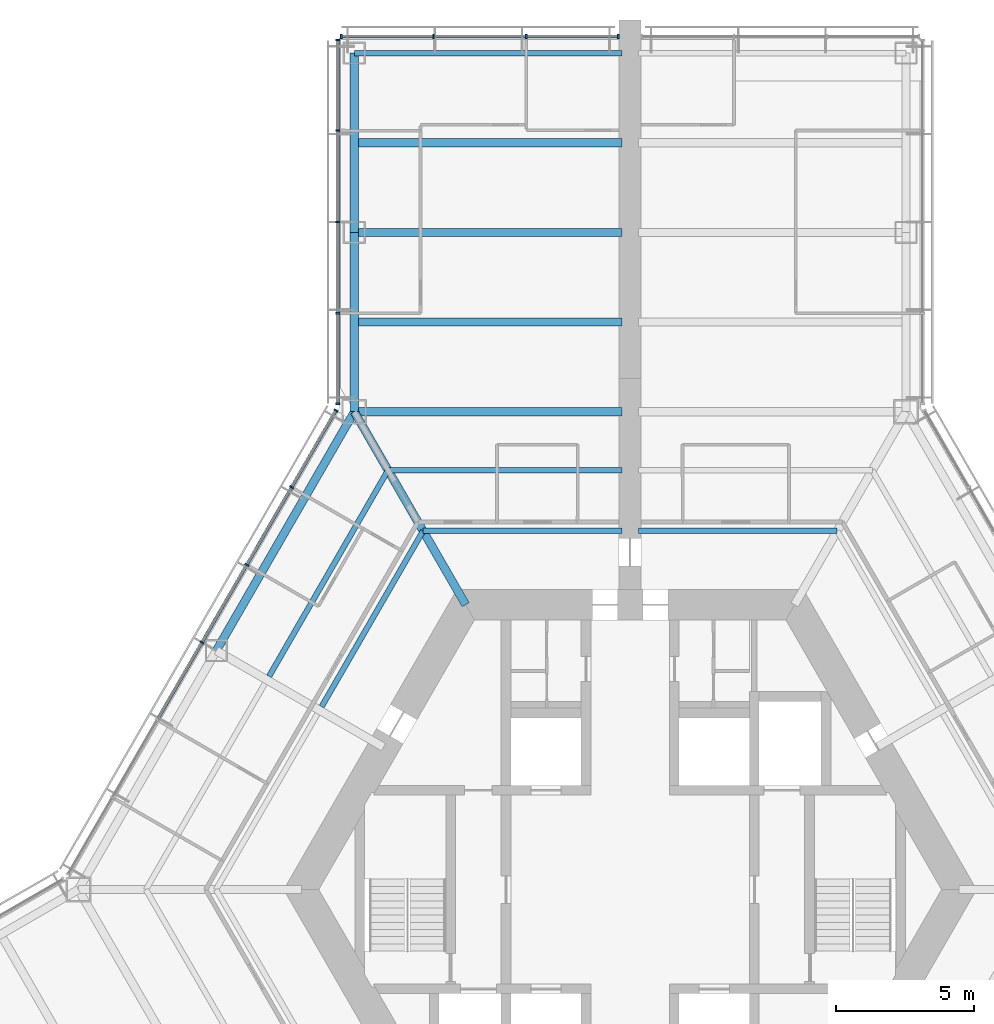
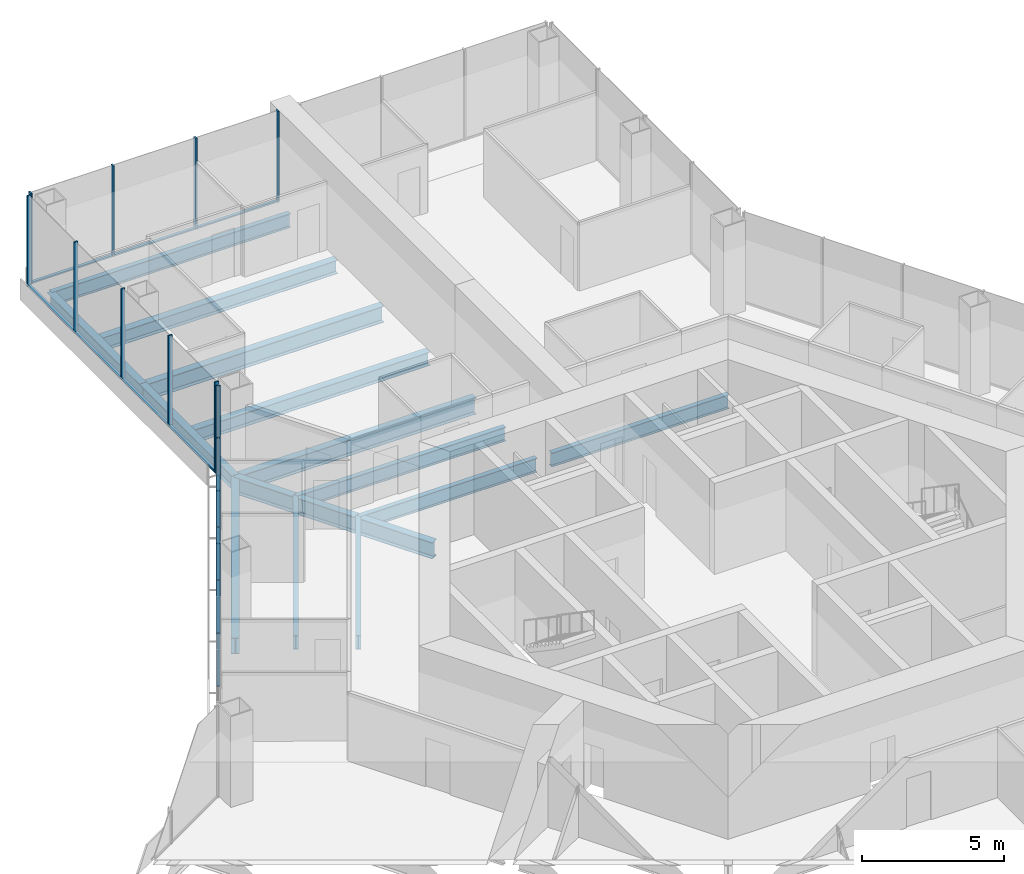
# One storey, part 7 of 19: 24 members, 14 beams, 3 elements without a shape of their own.
"""IFC4 building model written with IfcOpenShell, lengths in metres."""

from ifc_helpers import new_model, si_unit, direction, frame, origin, origin_2d, place, context, subcontext, project, spatial, rectangle, i_section, extrude, material, material_profile, profile_set, type_object, element, aggregate, save


model = new_model("IFC4")

# Units and contexts
model_context = context("Model", 3, precision=1e-05, world=origin(), true_north=direction((0.0, 1.0)))
body_context = subcontext(model_context, "Body", "Model", "MODEL_VIEW")
ifc_project = project(units=[si_unit("LENGTHUNIT", "METRE"), si_unit("AREAUNIT", "SQUARE_METRE"), si_unit("VOLUMEUNIT", "CUBIC_METRE"), si_unit("PLANEANGLEUNIT", "RADIAN"), si_unit("MASSUNIT", "GRAM", prefix="KILO")], contexts=[model_context])

# Site, building, storey
site_placement = place(None, origin())
site = spatial("IfcSite", under=ifc_project, at=site_placement, CompositionType="ELEMENT")
building_placement = place(site_placement, origin())
building = spatial("IfcBuilding", under=site, at=building_placement, Name="Kasaneha Research Tower", CompositionType="ELEMENT")
storey_placement = place(building_placement, frame((0.0, 0.0, 88.5)))
storey = spatial("IfcBuildingStorey", under=building, at=storey_placement, Name="L22", CompositionType="ELEMENT", Elevation=88.5)

# Beams
ifc_material_1 = material(Name="Steel SN490B", Category="steel")
ifc_material_profile_1 = material_profile(ifc_material_1, i_section(OverallWidth=0.199951171875, OverallDepth=0.60009765625, WebThickness=0.010986328125, FlangeThickness=0.01708984375, FilletRadius=0.012939453125, at=origin_2d()), Name="H-600x200x11x17")
ifc_profile_set_1 = profile_set([ifc_material_profile_1], Name="Steel SN490B")
beam_type_1 = type_object("IfcBeamType", Name="B1-3 secondary beam H-600x200x11x17", PredefinedType="JOIST", material=ifc_profile_set_1)
for number, where, z_axis, x_axis, name in (
    (1, (7.505615234375, 13.0, -0.449951171875), (-1.0, 0.0, 0.0), (0.0, -1.0, 0.0), "Secondary beam RS090L1 L22"),
    (2, (-7.505615234375, 13.0, -0.449951171875), (1.0, 0.0, 0.0), (0.0, 1.0, 0.0), "Secondary beam RS090R1 L22"),
):
    element("IfcBeam", number, at=place(storey_placement, frame(where, z_axis=z_axis, x_axis=x_axis)), inside=storey, type_object=beam_type_1, Name=name, PredefinedType="JOIST", context=body_context, shape_type="SweptSolid", body=[
        extrude(i_section(OverallWidth=0.199951171875, OverallDepth=0.60009765625, WebThickness=0.010986328125, FlangeThickness=0.01708984375, FilletRadius=0.012939453125, at=origin_2d()), origin(), (0.0, 0.0, 1.0), 7.20556640625),
    ])
beam_1_placement = place(storey_placement, frame((-8.775634765625, 15.199951171875, -0.449951171875), z_axis=(1.0, 0.0, 0.0), x_axis=(0.0, 1.0, 0.0)))
element("IfcBeam", 3, at=beam_1_placement, inside=storey, type_object=beam_type_1, Name="Secondary beam RS090R2 L22", PredefinedType="JOIST", context=body_context, shape_type="SweptSolid", body=[
    extrude(i_section(OverallWidth=0.199951171875, OverallDepth=0.60009765625, WebThickness=0.010986328125, FlangeThickness=0.01708984375, FilletRadius=0.012939453125, at=origin_2d()), origin(), (0.0, 0.0, 1.0), 8.4755859375),
])
beam_2_placement = place(storey_placement, frame((-7.505615234375, 13.0, -0.449951171875), z_axis=(-0.499994443168, -0.866028611999, 0.0), x_axis=(0.866028611999, -0.499994443168, 0.0)))
element("IfcBeam", 4, at=beam_2_placement, inside=storey, type_object=beam_type_1, Name="Secondary beam RS150L1 L22", PredefinedType="JOIST", context=body_context, shape_type="SweptSolid", body=[
    extrude(i_section(OverallWidth=0.199951171875, OverallDepth=0.60009765625, WebThickness=0.010986328125, FlangeThickness=0.01708984375, FilletRadius=0.012939453125, at=origin_2d()), origin(), (0.0, 0.0, 1.0), 7.35546875),
])
beam_3_placement = place(storey_placement, frame((-8.775634765625, 15.199951171875, -0.449951171875), z_axis=(-0.500017275495, -0.866015429543, 0.0), x_axis=(0.866015429543, -0.500017275495, 0.0)))
element("IfcBeam", 5, at=beam_3_placement, inside=storey, type_object=beam_type_1, Name="Secondary beam RS150L2 L22", PredefinedType="JOIST", context=body_context, shape_type="SweptSolid", body=[
    extrude(i_section(OverallWidth=0.199951171875, OverallDepth=0.60009765625, WebThickness=0.010986328125, FlangeThickness=0.01708984375, FilletRadius=0.012939453125, at=origin_2d()), origin(), (0.0, 0.0, 1.0), 8.625732421875),
])
ifc_material_2 = material(Name="Steel SN490B", Category="steel")
ifc_material_profile_2 = material_profile(ifc_material_2, i_section(OverallWidth=0.300048828125, OverallDepth=0.58203125, WebThickness=0.011962890625, FlangeThickness=0.01708984375, FilletRadius=0.012939453125, at=origin_2d()), Name="H-582x300x12x17")
ifc_profile_set_2 = profile_set([ifc_material_profile_2], Name="Steel SN490B")
beam_type_2 = type_object("IfcBeamType", Name="B2-3 secondary beam H-582x300x12x17", PredefinedType="JOIST", material=ifc_profile_set_2)
for number, where, z_axis, x_axis, name in (
    (6, (-10.0, 20.570556640625, -0.44091796875), (1.0, 0.0, 0.0), (0.0, 1.0, 0.0), "Secondary beam WBAN1 L22"),
    (7, (-10.0, 27.070556640625, -0.44091796875), (1.0, 0.0, 0.0), (0.0, 1.0, 0.0), "Secondary beam WBAN2 L22"),
):
    element("IfcBeam", number, at=place(storey_placement, frame(where, z_axis=z_axis, x_axis=x_axis)), inside=storey, type_object=beam_type_2, Name=name, PredefinedType="JOIST", context=body_context, shape_type="SweptSolid", body=[
        extrude(i_section(OverallWidth=0.300048828125, OverallDepth=0.58203125, WebThickness=0.011962890625, FlangeThickness=0.01708984375, FilletRadius=0.012939453125, at=origin_2d()), origin(), (0.0, 0.0, 1.0), 9.699951171875),
    ])

# Curtain wall, members
ifc_material_3 = material(Name="Glass and aluminium", Category="aluminium")
curtain_wall_type = type_object("IfcCurtainWallType", Name="Low-rise office curtain wall", PredefinedType="USERDEFINED", material=ifc_material_3)
curtain_wall_1_placement = place(storey_placement, origin())
curtain_wall_1 = element("IfcCurtainWall", 8, at=curtain_wall_1_placement, inside=storey, type_object=curtain_wall_type, Name="CW-O1 L22 run 10a", ObjectType="UNITISED CURTAIN WALL", PredefinedType="USERDEFINED")
ifc_material_4 = material(Name="Aluminium 6063-T6", Category="aluminium")
ifc_material_profile_3 = material_profile(ifc_material_4, rectangle(XDim=0.06005859375, YDim=0.159912109375, at=origin_2d()), Name="CW-O1 mullion 60x160")
ifc_profile_set_3 = profile_set([ifc_material_profile_3], Name="Aluminium 6063-T6")
member_type_1 = type_object("IfcMemberType", Name="CW-O1 mullion", PredefinedType="MULLION", material=ifc_profile_set_3)
member_1_placement = place(storey_placement, frame((-0.429931640625, 30.92041015625, 0.0), z_axis=(0.0, 0.0, 1.0), x_axis=(-1.0, 0.0, 0.0)))
member_1 = element("IfcMember", 9, at=member_1_placement, type_object=member_type_1, Name="CW-O1 mullion 1", PredefinedType="MULLION", context=body_context, shape_type="SweptSolid", body=[
    extrude(rectangle(XDim=0.06005859375, YDim=0.159912109375, at=origin_2d()), origin(), (0.0, 0.0, 1.0), 3.89990234375),
])
member_2_placement = place(storey_placement, frame((-3.7666015625, 30.92041015625, 0.0), z_axis=(0.0, 0.0, 1.0), x_axis=(-1.0, 0.0, 0.0)))
member_2 = element("IfcMember", 10, at=member_2_placement, type_object=member_type_1, Name="CW-O1 mullion 2", PredefinedType="MULLION", context=body_context, shape_type="SweptSolid", body=[
    extrude(rectangle(XDim=0.06005859375, YDim=0.159912109375, at=origin_2d()), origin(), (0.0, 0.0, 1.0), 3.89990234375),
])
member_3_placement = place(storey_placement, frame((-7.13330078125, 30.92041015625, 0.0), z_axis=(0.0, 0.0, 1.0), x_axis=(-1.0, 0.0, 0.0)))
member_3 = element("IfcMember", 11, at=member_3_placement, type_object=member_type_1, Name="CW-O1 mullion 3", PredefinedType="MULLION", context=body_context, shape_type="SweptSolid", body=[
    extrude(rectangle(XDim=0.06005859375, YDim=0.159912109375, at=origin_2d()), origin(), (0.0, 0.0, 1.0), 3.89990234375),
])
member_4_placement = place(storey_placement, frame((-10.469970703125, 30.92041015625, 0.0), z_axis=(0.0, 0.0, 1.0), x_axis=(-1.0, 0.0, 0.0)))
member_4 = element("IfcMember", 12, at=member_4_placement, type_object=member_type_1, Name="CW-O1 mullion 4", PredefinedType="MULLION", context=body_context, shape_type="SweptSolid", body=[
    extrude(rectangle(XDim=0.06005859375, YDim=0.159912109375, at=origin_2d()), origin(), (0.0, 0.0, 1.0), 3.89990234375),
])

curtain_wall_2_placement = place(storey_placement, origin())
curtain_wall_2 = element("IfcCurtainWall", 13, at=curtain_wall_2_placement, inside=storey, type_object=curtain_wall_type, Name="CW-O1 L22 run 11a", ObjectType="UNITISED CURTAIN WALL", PredefinedType="USERDEFINED")
member_5_placement = place(storey_placement, frame((-10.60009765625, 30.79052734375, 0.0), z_axis=(0.0, 0.0, 1.0), x_axis=(0.0, -1.0, 0.0)))
member_5 = element("IfcMember", 14, at=member_5_placement, type_object=member_type_1, Name="CW-O1 mullion 1", PredefinedType="MULLION", context=body_context, shape_type="SweptSolid", body=[
    extrude(rectangle(XDim=0.06005859375, YDim=0.159912109375, at=origin_2d()), origin(), (0.0, 0.0, 1.0), 3.89990234375),
])
member_6_placement = place(storey_placement, frame((-10.60009765625, 27.5107421875, 0.0), z_axis=(0.0, 0.0, 1.0), x_axis=(0.0, -1.0, 0.0)))
member_6 = element("IfcMember", 15, at=member_6_placement, type_object=member_type_1, Name="CW-O1 mullion 2", PredefinedType="MULLION", context=body_context, shape_type="SweptSolid", body=[
    extrude(rectangle(XDim=0.06005859375, YDim=0.159912109375, at=origin_2d()), origin(), (0.0, 0.0, 1.0), 3.89990234375),
])
member_7_placement = place(storey_placement, frame((-10.60009765625, 24.200927734375, 0.0), z_axis=(0.0, 0.0, 1.0), x_axis=(0.0, -1.0, 0.0)))
member_7 = element("IfcMember", 16, at=member_7_placement, type_object=member_type_1, Name="CW-O1 mullion 3", PredefinedType="MULLION", context=body_context, shape_type="SweptSolid", body=[
    extrude(rectangle(XDim=0.06005859375, YDim=0.159912109375, at=origin_2d()), origin(), (0.0, 0.0, 1.0), 3.89990234375),
])
member_8_placement = place(storey_placement, frame((-10.60009765625, 20.89111328125, 0.0), z_axis=(0.0, 0.0, 1.0), x_axis=(0.0, -1.0, 0.0)))
member_8 = element("IfcMember", 17, at=member_8_placement, type_object=member_type_1, Name="CW-O1 mullion 4", PredefinedType="MULLION", context=body_context, shape_type="SweptSolid", body=[
    extrude(rectangle(XDim=0.06005859375, YDim=0.159912109375, at=origin_2d()), origin(), (0.0, 0.0, 1.0), 3.89990234375),
])
member_9_placement = place(storey_placement, frame((-10.60009765625, 17.611328125, 0.0), z_axis=(0.0, 0.0, 1.0), x_axis=(0.0, -1.0, 0.0)))
member_9 = element("IfcMember", 18, at=member_9_placement, type_object=member_type_1, Name="CW-O1 mullion 5", PredefinedType="MULLION", context=body_context, shape_type="SweptSolid", body=[
    extrude(rectangle(XDim=0.06005859375, YDim=0.159912109375, at=origin_2d()), origin(), (0.0, 0.0, 1.0), 3.89990234375),
])

curtain_wall_3_placement = place(storey_placement, origin())
curtain_wall_3 = element("IfcCurtainWall", 19, at=curtain_wall_3_placement, inside=storey, type_object=curtain_wall_type, Name="CW-O1 L22 run 12a", ObjectType="UNITISED CURTAIN WALL", PredefinedType="USERDEFINED")
member_10_placement = place(storey_placement, frame((-10.6650390625, 17.36865234375, 0.0), z_axis=(0.0, 0.0, 1.0), x_axis=(-0.49999996188, -0.866025425793, 0.0)))
member_10 = element("IfcMember", 20, at=member_10_placement, type_object=member_type_1, Name="CW-O1 mullion 1", PredefinedType="MULLION", context=body_context, shape_type="SweptSolid", body=[
    extrude(rectangle(XDim=0.06005859375, YDim=0.159912109375, at=origin_2d()), origin(), (0.0, 0.0, 1.0), 3.89990234375),
])
member_11_placement = place(storey_placement, frame((-12.273193359375, 14.583251953125, 0.0), z_axis=(0.0, 0.0, 1.0), x_axis=(-0.49999996188, -0.866025425793, 0.0)))
member_11 = element("IfcMember", 21, at=member_11_placement, type_object=member_type_1, Name="CW-O1 mullion 2", PredefinedType="MULLION", context=body_context, shape_type="SweptSolid", body=[
    extrude(rectangle(XDim=0.06005859375, YDim=0.159912109375, at=origin_2d()), origin(), (0.0, 0.0, 1.0), 3.89990234375),
])
member_12_placement = place(storey_placement, frame((-13.896484375, 11.771728515625, 0.0), z_axis=(0.0, 0.0, 1.0), x_axis=(-0.49999996188, -0.866025425793, 0.0)))
member_12 = element("IfcMember", 22, at=member_12_placement, type_object=member_type_1, Name="CW-O1 mullion 3", PredefinedType="MULLION", context=body_context, shape_type="SweptSolid", body=[
    extrude(rectangle(XDim=0.06005859375, YDim=0.159912109375, at=origin_2d()), origin(), (0.0, 0.0, 1.0), 3.89990234375),
])
member_13_placement = place(storey_placement, frame((-15.51953125, 8.960205078125, 0.0), z_axis=(0.0, 0.0, 1.0), x_axis=(-0.49999996188, -0.866025425793, 0.0)))
member_13 = element("IfcMember", 23, at=member_13_placement, type_object=member_type_1, Name="CW-O1 mullion 4", PredefinedType="MULLION", context=body_context, shape_type="SweptSolid", body=[
    extrude(rectangle(XDim=0.06005859375, YDim=0.159912109375, at=origin_2d()), origin(), (0.0, 0.0, 1.0), 3.89990234375),
])

# Member
ifc_material_5 = material(Name="Aluminium 6063-T6", Category="aluminium")
ifc_material_profile_4 = material_profile(ifc_material_5, rectangle(XDim=0.1201171875, YDim=0.06005859375, at=origin_2d()), Name="CW-O1 transom 120x60")
ifc_profile_set_4 = profile_set([ifc_material_profile_4], Name="Aluminium 6063-T6")
member_type_2 = type_object("IfcMemberType", Name="CW-O1 transom", PredefinedType="USERDEFINED", material=ifc_profile_set_4)
member_14_placement = place(storey_placement, frame((-0.4599609375, 30.92041015625, 0.030029296875), z_axis=(-1.0, 0.0, 0.0), x_axis=(0.0, -1.0, 0.0)))
member_14 = element("IfcMember", 24, at=member_14_placement, type_object=member_type_2, Name="CW-O1 transom 1", ObjectType="TRANSOM", PredefinedType="USERDEFINED", context=body_context, shape_type="SweptSolid", body=[
    extrude(rectangle(XDim=0.1201171875, YDim=0.06005859375, at=origin_2d()), origin(), (0.0, 0.0, 1.0), 3.276611328125),
])

member_15_placement = place(storey_placement, frame((-3.796630859375, 30.92041015625, 0.030029296875), z_axis=(-1.0, 0.0, 0.0), x_axis=(0.0, -1.0, 0.0)))
member_15 = element("IfcMember", 25, at=member_15_placement, type_object=member_type_2, Name="CW-O1 transom 2", ObjectType="TRANSOM", PredefinedType="USERDEFINED", context=body_context, shape_type="SweptSolid", body=[
    extrude(rectangle(XDim=0.1201171875, YDim=0.06005859375, at=origin_2d()), origin(), (0.0, 0.0, 1.0), 3.306640625),
])

member_16_placement = place(storey_placement, frame((-7.163330078125, 30.92041015625, 0.030029296875), z_axis=(-1.0, 0.0, 0.0), x_axis=(0.0, -1.0, 0.0)))
member_16 = element("IfcMember", 26, at=member_16_placement, type_object=member_type_2, Name="CW-O1 transom 3", ObjectType="TRANSOM", PredefinedType="USERDEFINED", context=body_context, shape_type="SweptSolid", body=[
    extrude(rectangle(XDim=0.1201171875, YDim=0.06005859375, at=origin_2d()), origin(), (0.0, 0.0, 1.0), 3.276611328125),
])

aggregate(curtain_wall_1, [member_1, member_2, member_3, member_4, member_14, member_15, member_16])

member_17_placement = place(storey_placement, frame((-10.60009765625, 30.760498046875, 0.030029296875), z_axis=(0.0, -1.0, 0.0), x_axis=(1.0, 0.0, 0.0)))
member_17 = element("IfcMember", 27, at=member_17_placement, type_object=member_type_2, Name="CW-O1 transom 1", ObjectType="TRANSOM", PredefinedType="USERDEFINED", context=body_context, shape_type="SweptSolid", body=[
    extrude(rectangle(XDim=0.1201171875, YDim=0.06005859375, at=origin_2d()), origin(), (0.0, 0.0, 1.0), 3.2197265625),
])

member_18_placement = place(storey_placement, frame((-10.60009765625, 27.480712890625, 0.030029296875), z_axis=(0.0, -1.0, 0.0), x_axis=(1.0, 0.0, 0.0)))
member_18 = element("IfcMember", 28, at=member_18_placement, type_object=member_type_2, Name="CW-O1 transom 2", ObjectType="TRANSOM", PredefinedType="USERDEFINED", context=body_context, shape_type="SweptSolid", body=[
    extrude(rectangle(XDim=0.1201171875, YDim=0.06005859375, at=origin_2d()), origin(), (0.0, 0.0, 1.0), 3.249755859375),
])

member_19_placement = place(storey_placement, frame((-10.60009765625, 24.1708984375, 0.030029296875), z_axis=(0.0, -1.0, 0.0), x_axis=(1.0, 0.0, 0.0)))
member_19 = element("IfcMember", 29, at=member_19_placement, type_object=member_type_2, Name="CW-O1 transom 3", ObjectType="TRANSOM", PredefinedType="USERDEFINED", context=body_context, shape_type="SweptSolid", body=[
    extrude(rectangle(XDim=0.1201171875, YDim=0.06005859375, at=origin_2d()), origin(), (0.0, 0.0, 1.0), 3.249755859375),
])

member_20_placement = place(storey_placement, frame((-10.60009765625, 20.861083984375, 0.030029296875), z_axis=(0.0, -1.0, 0.0), x_axis=(1.0, 0.0, 0.0)))
member_20 = element("IfcMember", 30, at=member_20_placement, type_object=member_type_2, Name="CW-O1 transom 4", ObjectType="TRANSOM", PredefinedType="USERDEFINED", context=body_context, shape_type="SweptSolid", body=[
    extrude(rectangle(XDim=0.1201171875, YDim=0.06005859375, at=origin_2d()), origin(), (0.0, 0.0, 1.0), 3.2197265625),
])

aggregate(curtain_wall_2, [member_5, member_6, member_7, member_8, member_9, member_17, member_18, member_19, member_20])

member_21_placement = place(storey_placement, frame((-10.679931640625, 17.3427734375, 0.030029296875), z_axis=(-0.500023726918, -0.866011704609, 0.0), x_axis=(0.866011704609, -0.500023726918, 0.0)))
member_21 = element("IfcMember", 31, at=member_21_placement, type_object=member_type_2, Name="CW-O1 transom 1", ObjectType="TRANSOM", PredefinedType="USERDEFINED", context=body_context, shape_type="SweptSolid", body=[
    extrude(rectangle(XDim=0.1201171875, YDim=0.06005859375, at=origin_2d()), origin(), (0.0, 0.0, 1.0), 3.156494140625),
])

member_22_placement = place(storey_placement, frame((-12.2880859375, 14.55712890625, 0.030029296875), z_axis=(-0.500012062035, -0.866018439653, 0.0), x_axis=(0.866018439653, -0.500012062035, 0.0)))
member_22 = element("IfcMember", 32, at=member_22_placement, type_object=member_type_2, Name="CW-O1 transom 2", ObjectType="TRANSOM", PredefinedType="USERDEFINED", context=body_context, shape_type="SweptSolid", body=[
    extrude(rectangle(XDim=0.1201171875, YDim=0.06005859375, at=origin_2d()), origin(), (0.0, 0.0, 1.0), 3.1865234375),
])

member_23_placement = place(storey_placement, frame((-13.911376953125, 11.745849609375, 0.030029296875), z_axis=(-0.500012062035, -0.866018439653, 0.0), x_axis=(0.866018439653, -0.500012062035, 0.0)))
member_23 = element("IfcMember", 33, at=member_23_placement, type_object=member_type_2, Name="CW-O1 transom 3", ObjectType="TRANSOM", PredefinedType="USERDEFINED", context=body_context, shape_type="SweptSolid", body=[
    extrude(rectangle(XDim=0.1201171875, YDim=0.06005859375, at=origin_2d()), origin(), (0.0, 0.0, 1.0), 3.1865234375),
])

member_24_placement = place(storey_placement, frame((-15.53466796875, 8.934326171875, 0.030029296875), z_axis=(-0.500012062035, -0.866018439653, 0.0), x_axis=(0.866018439653, -0.500012062035, 0.0)))
member_24 = element("IfcMember", 34, at=member_24_placement, type_object=member_type_2, Name="CW-O1 transom 4", ObjectType="TRANSOM", PredefinedType="USERDEFINED", context=body_context, shape_type="SweptSolid", body=[
    extrude(rectangle(XDim=0.1201171875, YDim=0.06005859375, at=origin_2d()), origin(), (0.0, 0.0, 1.0), 3.1865234375),
])

aggregate(curtain_wall_3, [member_10, member_11, member_12, member_13, member_21, member_22, member_23, member_24])

# Beams
ifc_material_6 = material(Name="Steel SN490B", Category="steel")
ifc_material_profile_5 = material_profile(ifc_material_6, i_section(OverallWidth=0.300048828125, OverallDepth=0.699951171875, WebThickness=0.012939453125, FlangeThickness=0.02392578125, FilletRadius=0.01806640625, at=origin_2d()), Name="H-700x300x13x24")
ifc_profile_set_5 = profile_set([ifc_material_profile_5], Name="Steel SN490B")
beam_type_3 = type_object("IfcBeamType", Name="G1-3 radial girder H-700x300x13x24", PredefinedType="BEAM", material=ifc_profile_set_5)
beam_4_placement = place(storey_placement, frame((-5.961181640625, 10.324951171875, -0.5), z_axis=(-0.49999105496, 0.866030568144, 0.0), x_axis=(-0.866030568144, -0.49999105496, 0.0)))
element("IfcBeam", 35, at=beam_4_placement, inside=storey, type_object=beam_type_3, Name="Radial girder RV120 L22", PredefinedType="BEAM", context=body_context, shape_type="SweptSolid", body=[
    extrude(i_section(OverallWidth=0.300048828125, OverallDepth=0.699951171875, WebThickness=0.012939453125, FlangeThickness=0.02392578125, FilletRadius=0.01806640625, at=origin_2d()), origin(), (0.0, 0.0, 1.0), 8.077880859375),
])
ifc_material_7 = material(Name="Steel SN490B", Category="steel")
ifc_material_profile_6 = material_profile(ifc_material_7, i_section(OverallWidth=0.300048828125, OverallDepth=0.69189453125, WebThickness=0.012939453125, FlangeThickness=0.02001953125, FilletRadius=0.01806640625, at=origin_2d()), Name="H-692x300x13x20")
ifc_profile_set_6 = profile_set([ifc_material_profile_6], Name="Steel SN490B")
beam_type_4 = type_object("IfcBeamType", Name="G3-3 plate edge girder H-692x300x13x20", PredefinedType="BEAM", material=ifc_profile_set_6)
beam_5_placement = place(storey_placement, frame((-10.0, 17.320556640625, -0.49609375), z_axis=(1.0, 0.0, 0.0), x_axis=(0.0, 1.0, 0.0)))
element("IfcBeam", 36, at=beam_5_placement, inside=storey, type_object=beam_type_4, Name="Plate edge girder PEAN L22", PredefinedType="BEAM", context=body_context, shape_type="SweptSolid", body=[
    extrude(i_section(OverallWidth=0.300048828125, OverallDepth=0.69189453125, WebThickness=0.012939453125, FlangeThickness=0.02001953125, FilletRadius=0.01806640625, at=origin_2d()), origin(), (0.0, 0.0, 1.0), 9.699951171875),
])
ifc_material_8 = material(Name="Steel SN490B", Category="steel")
ifc_material_profile_7 = material_profile(ifc_material_8, i_section(OverallWidth=0.300048828125, OverallDepth=0.699951171875, WebThickness=0.012939453125, FlangeThickness=0.02392578125, FilletRadius=0.01806640625, at=origin_2d()), Name="H-700x300x13x24")
ifc_profile_set_7 = profile_set([ifc_material_profile_7], Name="Steel SN490B")
beam_type_5 = type_object("IfcBeamType", Name="G4-3 wing girder H-700x300x13x24", PredefinedType="BEAM", material=ifc_profile_set_7)
beam_6_placement = place(storey_placement, frame((-10.0, 23.820556640625, -0.5), z_axis=(1.0, 0.0, 0.0), x_axis=(0.0, 1.0, 0.0)))
element("IfcBeam", 37, at=beam_6_placement, inside=storey, type_object=beam_type_5, Name="Wing girder WGAN L22", PredefinedType="BEAM", context=body_context, shape_type="SweptSolid", body=[
    extrude(i_section(OverallWidth=0.300048828125, OverallDepth=0.699951171875, WebThickness=0.012939453125, FlangeThickness=0.02392578125, FilletRadius=0.01806640625, at=origin_2d()), origin(), (0.0, 0.0, 1.0), 9.699951171875),
])
ifc_material_9 = material(Name="Steel SN490B", Category="steel")
ifc_material_profile_8 = material_profile(ifc_material_9, i_section(OverallWidth=0.300048828125, OverallDepth=0.69189453125, WebThickness=0.012939453125, FlangeThickness=0.02001953125, FilletRadius=0.01806640625, at=origin_2d()), Name="H-692x300x13x20")
ifc_profile_set_8 = profile_set([ifc_material_profile_8], Name="Steel SN490B")
beam_type_6 = type_object("IfcBeamType", Name="SB1-3 spandrel beam H-692x300x13x20", PredefinedType="SPANDREL", material=ifc_profile_set_8)
beam_7_placement = place(storey_placement, frame((-10.0, 17.320556640625, -0.49609375), z_axis=(-0.499993662806, -0.866029062534, 0.0), x_axis=(0.866029062534, -0.499993662806, 0.0)))
element("IfcBeam", 38, at=beam_7_placement, inside=storey, type_object=beam_type_6, Name="Spandrel beam SR150L L22", PredefinedType="SPANDREL", context=body_context, shape_type="SweptSolid", body=[
    extrude(i_section(OverallWidth=0.300048828125, OverallDepth=0.69189453125, WebThickness=0.012939453125, FlangeThickness=0.02001953125, FilletRadius=0.01806640625, at=origin_2d()), origin(), (0.0, 0.0, 1.0), 10.000244140625),
])
ifc_material_10 = material(Name="Steel SN490B", Category="steel")
ifc_material_profile_9 = material_profile(ifc_material_10, i_section(OverallWidth=0.300048828125, OverallDepth=0.58203125, WebThickness=0.011962890625, FlangeThickness=0.01708984375, FilletRadius=0.012939453125, at=origin_2d()), Name="H-582x300x12x17")
ifc_profile_set_9 = profile_set([ifc_material_profile_9], Name="Steel SN490B")
beam_type_7 = type_object("IfcBeamType", Name="SB2-3 spandrel beam H-582x300x12x17", PredefinedType="SPANDREL", material=ifc_profile_set_9)
for number, where, z_axis, x_axis, name in (
    (39, (-10.0, 17.320556640625, -0.44091796875), (0.0, 1.0, 0.0), (-1.0, 0.0, 0.0), "Spandrel beam WSAN1 L22"),
    (40, (-10.0, 23.820556640625, -0.44091796875), (0.0, 1.0, 0.0), (-1.0, 0.0, 0.0), "Spandrel beam WSAN2 L22"),
):
    element("IfcBeam", number, at=place(storey_placement, frame(where, z_axis=z_axis, x_axis=x_axis)), inside=storey, type_object=beam_type_7, Name=name, PredefinedType="SPANDREL", context=body_context, shape_type="SweptSolid", body=[
        extrude(i_section(OverallWidth=0.300048828125, OverallDepth=0.58203125, WebThickness=0.011962890625, FlangeThickness=0.01708984375, FilletRadius=0.012939453125, at=origin_2d()), origin(), (0.0, 0.0, 1.0), 6.5),
    ])
ifc_material_11 = material(Name="Steel SN490B", Category="steel")
ifc_material_profile_10 = material_profile(ifc_material_11, i_section(OverallWidth=0.199951171875, OverallDepth=0.60009765625, WebThickness=0.010986328125, FlangeThickness=0.01708984375, FilletRadius=0.012939453125, at=origin_2d()), Name="H-600x200x11x17")
ifc_profile_set_10 = profile_set([ifc_material_profile_10], Name="Steel SN490B")
beam_type_8 = type_object("IfcBeamType", Name="SB3-3 spandrel beam H-600x200x11x17", PredefinedType="SPANDREL", material=ifc_profile_set_10)
beam_8_placement = place(storey_placement, frame((-10.0, 30.320556640625, -0.449951171875), z_axis=(1.0, 0.0, 0.0), x_axis=(0.0, 1.0, 0.0)))
element("IfcBeam", 41, at=beam_8_placement, inside=storey, type_object=beam_type_8, Name="Spandrel beam WTAN L22", PredefinedType="SPANDREL", context=body_context, shape_type="SweptSolid", body=[
    extrude(i_section(OverallWidth=0.199951171875, OverallDepth=0.60009765625, WebThickness=0.010986328125, FlangeThickness=0.01708984375, FilletRadius=0.012939453125, at=origin_2d()), origin(), (0.0, 0.0, 1.0), 9.699951171875),
])

save(model, "model.ifc")
